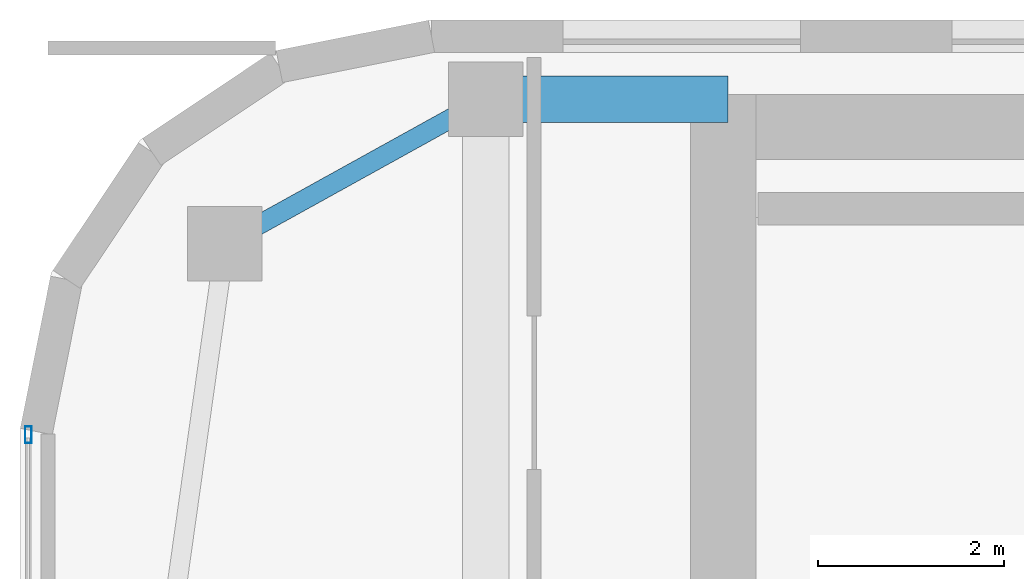
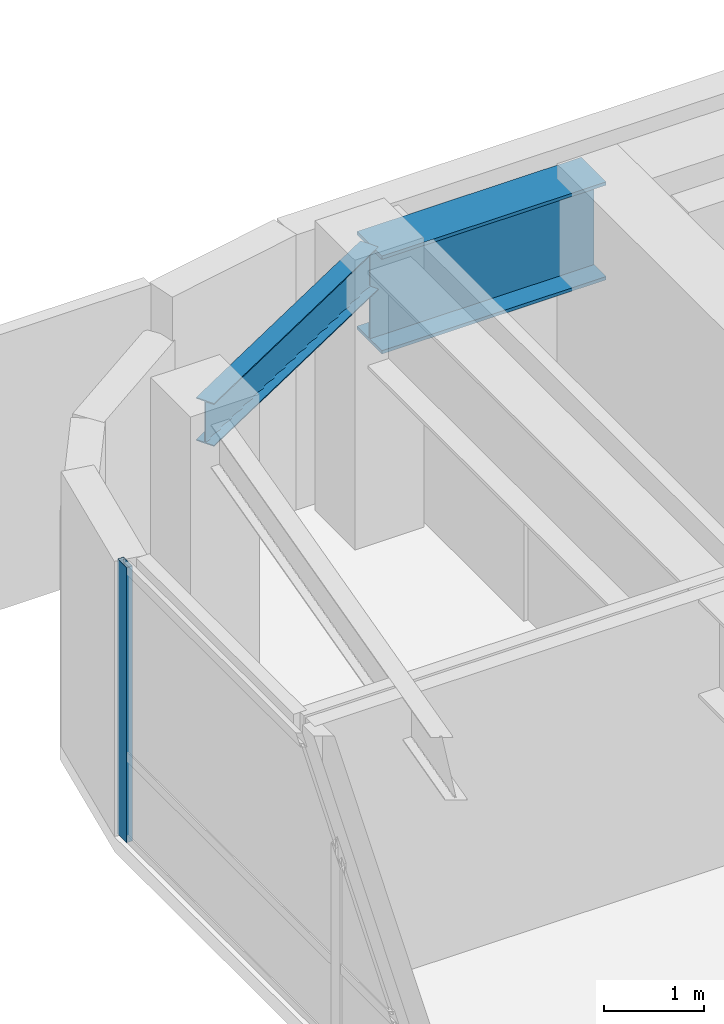
# One storey, part 15 of 24: 2 beams, 1 member, 1 element without a shape of its own.
"""IFC4 building model written with IfcOpenShell, lengths in metres."""

from ifc_helpers import new_model, si_unit, direction, frame, origin, origin_2d, place, context, subcontext, project, spatial, hollow_rectangle, i_section, extrude, source, transform, mapped, material, layer, layer_set, material_profile, profile_set, type_object, type_shapes, element, aggregate, save


model = new_model("IFC4")

# Units and contexts
model_context = context("Model", 3, precision=1e-05, world=origin(), true_north=direction((0.0, 1.0)))
body_context = subcontext(model_context, "Body", "Model", "MODEL_VIEW")
ifc_project = project(units=[si_unit("LENGTHUNIT", "METRE"), si_unit("AREAUNIT", "SQUARE_METRE"), si_unit("VOLUMEUNIT", "CUBIC_METRE"), si_unit("PLANEANGLEUNIT", "RADIAN"), si_unit("MASSUNIT", "GRAM", prefix="KILO")], contexts=[model_context])

# Site, building, storey
site_placement = place(None, origin())
site = spatial("IfcSite", under=ifc_project, at=site_placement, CompositionType="ELEMENT")
building_placement = place(site_placement, origin())
building = spatial("IfcBuilding", under=site, at=building_placement, Name="Tolvann Quenvar Hotel", CompositionType="ELEMENT")
storey_placement = place(building_placement, frame((0.0, 0.0, 194.64990234375)))
storey = spatial("IfcBuildingStorey", under=building, at=storey_placement, Name="L51", CompositionType="ELEMENT", Elevation=194.64990234375)

# Beams
ifc_material_1 = material(Name="Steel Grade 350", Category="steel")
ifc_material_profile_1 = material_profile(ifc_material_1, i_section(OverallWidth=0.5, OverallDepth=1.199951171875, WebThickness=0.01611328125, FlangeThickness=0.0400390625, at=origin_2d()), Name="1200WB455")
ifc_profile_set_1 = profile_set([ifc_material_profile_1], Name="Steel Grade 350")
beam_type_1 = type_object("IfcBeamType", Name="BM_TG_1200WB455", PredefinedType="USERDEFINED", material=ifc_profile_set_1)
shared_shape_1 = source(origin(), body_context, "Body", "SweptSolid", [
    extrude(i_section(OverallWidth=0.5, OverallDepth=1.199951171875, WebThickness=0.01611328125, FlangeThickness=0.0400390625, at=origin_2d()), origin(), (0.0, 0.0, 1.0), 2.599853515625),
])
type_shapes(beam_type_1, [shared_shape_1])
beam_1_placement = place(storey_placement, frame((7.60009765625, 45.14990234375, 2.77001953125), z_axis=(1.0, 0.0, 0.0), x_axis=(0.0, 1.0, 0.0)))
element("IfcBeam", 1, at=beam_1_placement, inside=storey, type_object=beam_type_1, Name="BM-L51-CTW-CN", ObjectType="TRANSFER GIRDER", PredefinedType="USERDEFINED", context=body_context, shape_type="MappedRepresentation", body=[
    mapped(shared_shape_1, transform((0.0, 0.0, 0.0), x_axis=(1.0, 0.0, 0.0), y_axis=(0.0, 1.0, 0.0), z_axis=(0.0, 0.0, 1.0), scale=1.0)),
])
ifc_material_profile_2 = material_profile(ifc_material_1, i_section(OverallWidth=0.208984375, OverallDepth=0.528076171875, WebThickness=0.009521484375, FlangeThickness=0.01318359375, FilletRadius=0.013916015625, at=origin_2d()), Name="530UB82")
ifc_profile_set_2 = profile_set([ifc_material_profile_2], Name="Steel Grade 350")
beam_type_2 = type_object("IfcBeamType", Name="BM_SPAND_530UB82", PredefinedType="SPANDREL", material=ifc_profile_set_2)
shared_shape_2 = source(origin(), body_context, "Body", "SweptSolid", [
    extrude(i_section(OverallWidth=0.208984375, OverallDepth=0.528076171875, WebThickness=0.009521484375, FlangeThickness=0.01318359375, FilletRadius=0.013916015625, at=origin_2d()), origin(), (0.0, 0.0, 1.0), 3.200439453125),
])
type_shapes(beam_type_2, [shared_shape_2])
beam_2_placement = place(storey_placement, frame((4.800048828125, 43.60009765625, 3.106201171875), z_axis=(0.87492264453, 0.48426270359, 0.0), x_axis=(-0.48426270359, 0.87492264453, 0.0)))
element("IfcBeam", 2, at=beam_2_placement, inside=storey, type_object=beam_type_2, Name="BM-L51-FLK-W3", PredefinedType="SPANDREL", context=body_context, shape_type="MappedRepresentation", body=[
    mapped(shared_shape_2, transform((0.0, 0.0, 0.0), x_axis=(1.0, 0.0, 0.0), y_axis=(0.0, 1.0, 0.0), z_axis=(0.0, 0.0, 1.0), scale=1.0)),
])

# Curtain wall, member
ifc_material_2 = material(Name="Thermally broken anodised architectural aluminium 6063-T6 and laminated low-E glass", Category="aluminium")
ifc_layer = layer(ifc_material_2, 0.179931640625)
ifc_layer_set = layer_set([ifc_layer], Name="Thermally broken anodised architectural aluminium 6063-T6 and laminated low-E glass")
curtain_wall_type = type_object("IfcCurtainWallType", Name="CW_SYS_BAND_04", PredefinedType="USERDEFINED", material=ifc_layer_set)
curtain_wall_placement = place(storey_placement, origin())
curtain_wall = element("IfcCurtainWall", 3, at=curtain_wall_placement, inside=storey, type_object=curtain_wall_type, Name="Curtain Wall CW-BAND-04 (CWR-L51-E23)", ObjectType="UNITISED CURTAIN WALL", PredefinedType="USERDEFINED")
ifc_material_3 = material(Name="Anodised architectural aluminium 6063-T6 framing", Category="aluminium")
ifc_material_profile_3 = material_profile(ifc_material_3, hollow_rectangle(XDim=0.070068359375, YDim=0.179931640625, WallThickness=0.00390625, at=origin_2d()), Name="180x70x4RHS")
ifc_profile_set_3 = profile_set([ifc_material_profile_3], Name="Anodised architectural aluminium 6063-T6 framing")
member_type = type_object("IfcMemberType", Name="CW_MULL_180x70", PredefinedType="MULLION", material=ifc_profile_set_3)
shared_shape_3 = source(origin(), body_context, "Body", "SweptSolid", [
    extrude(hollow_rectangle(XDim=0.070068359375, YDim=0.179931640625, WallThickness=0.00390625, at=origin_2d()), origin(), (0.0, 0.0, 1.0), 3.3701171875),
])
type_shapes(member_type, [shared_shape_3])
member_placement = place(storey_placement, frame((2.68994140625, 41.5478515625, 0.0), z_axis=(0.0, 0.0, 1.0), x_axis=(1.0, 0.0, 0.0)))
member = element("IfcMember", 4, at=member_placement, type_object=member_type, Name="CW-BAND-04 mullion 1", PredefinedType="MULLION", context=body_context, shape_type="MappedRepresentation", body=[
    mapped(shared_shape_3, transform((0.0, 0.0, 0.0), x_axis=(1.0, 0.0, 0.0), y_axis=(0.0, 1.0, 0.0), z_axis=(0.0, 0.0, 1.0), scale=1.0)),
])
aggregate(curtain_wall, [member])

save(model, "model.ifc")
